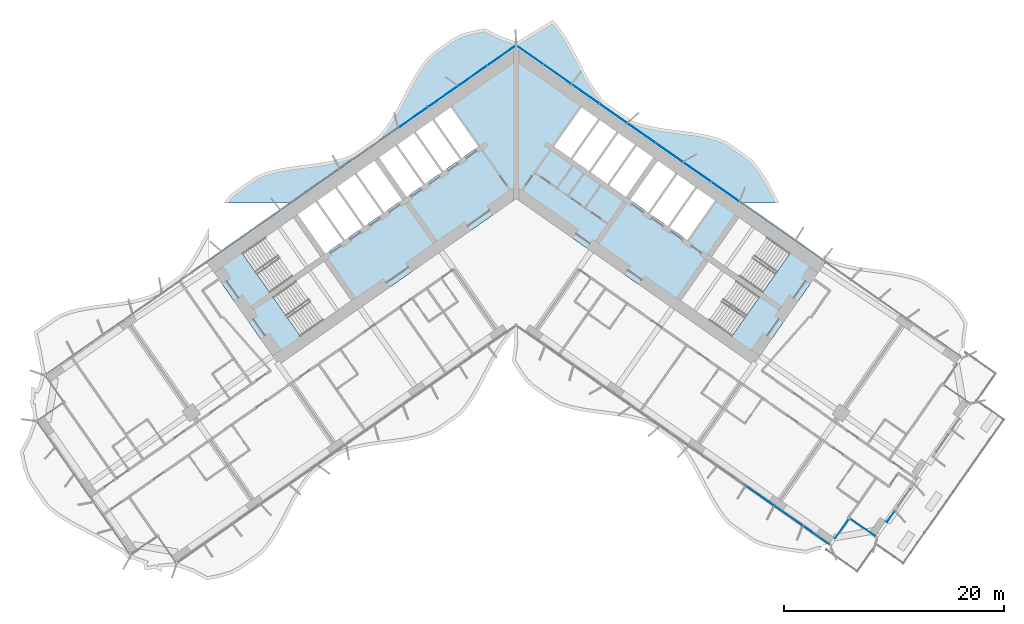
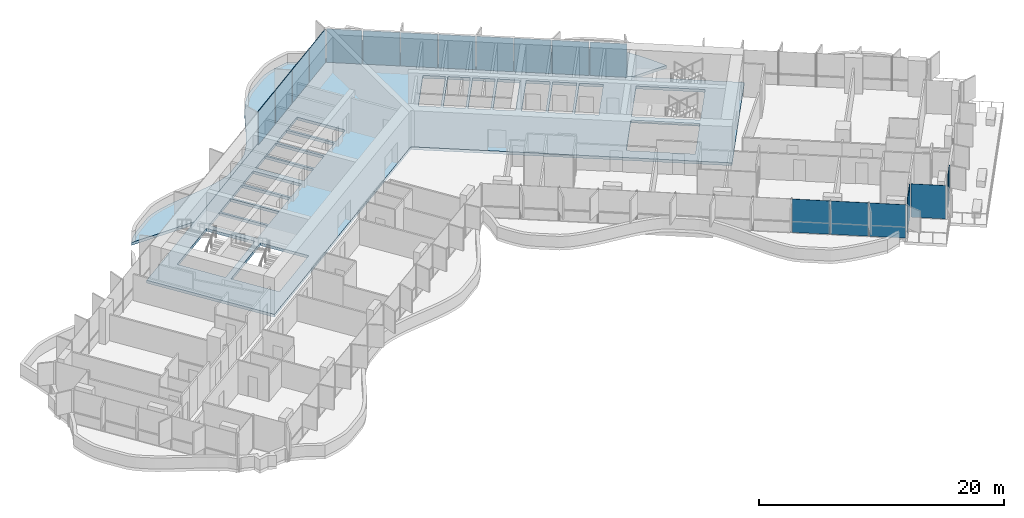
# One storey, part 11 of 25: 18 plates, 2 slabs, 2 elements without a shape of their own.
"""IFC4 building model written with IfcOpenShell, lengths in metres."""

from ifc_helpers import new_model, si_unit, direction, frame, origin, origin_2d, place, context, subcontext, project, spatial, polyline, rectangle, outline, extrude, material, layer, layer_set, type_object, element, aggregate, save


model = new_model("IFC4")

# Units and contexts
model_context = context("Model", 3, precision=1e-05, world=origin(), true_north=direction((0.0, 1.0)))
body_context = subcontext(model_context, "Body", "Model", "MODEL_VIEW")
ifc_project = project(units=[si_unit("LENGTHUNIT", "METRE"), si_unit("AREAUNIT", "SQUARE_METRE"), si_unit("VOLUMEUNIT", "CUBIC_METRE"), si_unit("PLANEANGLEUNIT", "RADIAN"), si_unit("MASSUNIT", "GRAM", prefix="KILO")], contexts=[model_context])

# Site, building, storey
site_placement = place(None, origin())
site = spatial("IfcSite", under=ifc_project, at=site_placement, CompositionType="ELEMENT")
building_placement = place(site_placement, origin())
building = spatial("IfcBuilding", under=site, at=building_placement, Name="Tel Ilan Convention Tower", CompositionType="ELEMENT")
storey_placement = place(building_placement, frame((0.0, 0.0, 76.10009765625)))
storey = spatial("IfcBuildingStorey", under=building, at=storey_placement, Name="L14", CompositionType="ELEMENT", Elevation=76.10009765625)

# Curtain wall, plates
ifc_material_1 = material(Name="Aluminium, bronze anodised", Category="aluminium")
curtain_wall_type_1 = type_object("IfcCurtainWallType", Name="CW1 UNITISED CURTAIN WALL, HOTEL TINTED GLASS", PredefinedType="NOTDEFINED", material=ifc_material_1)
curtain_wall_1_placement = place(storey_placement, origin())
curtain_wall_1 = element("IfcCurtainWall", 1, at=curtain_wall_1_placement, inside=storey, type_object=curtain_wall_type_1, Name="Curtain wall CW1-14.06", PredefinedType="NOTDEFINED")
ifc_material_2 = material(Name="Glass, bronze tinted, two-ply unitised", Category="glass")
ifc_layer_1 = layer(ifc_material_2, 0.028076171875)
ifc_layer_set_1 = layer_set([ifc_layer_1], Name="CW HOTEL GLASS PANEL 28")
plate_type_1 = type_object("IfcPlateType", Name="CW HOTEL GLASS PANEL 28", PredefinedType="CURTAIN_PANEL", material=ifc_layer_set_1)
plate_1_placement = place(storey_placement, frame((22.115478515625, -28.181396484375, 0.0), z_axis=(0.0, 0.0, 1.0), x_axis=(0.819152044289, -0.573576436351, 0.0)))
plate_1 = element("IfcPlate", 2, at=plate_1_placement, type_object=plate_type_1, Name="Glass panel", PredefinedType="CURTAIN_PANEL", context=body_context, shape_type="SweptSolid", body=[
    extrude(rectangle(XDim=3.10791015625, YDim=0.028076171875, at=origin_2d()), origin(), (0.0, 0.0, 1.0), 3.320068359375),
])
plate_2_placement = place(storey_placement, frame((24.71044921875, -29.99853515625, 0.0), z_axis=(0.0, 0.0, 1.0), x_axis=(0.819152044289, -0.573576436351, 0.0)))
plate_2 = element("IfcPlate", 3, at=plate_2_placement, type_object=plate_type_1, Name="Glass panel", PredefinedType="CURTAIN_PANEL", context=body_context, shape_type="SweptSolid", body=[
    extrude(rectangle(XDim=3.10791015625, YDim=0.028076171875, at=origin_2d()), origin(), (0.0, 0.0, 1.0), 3.320068359375),
])
plate_3_placement = place(storey_placement, frame((27.26708984375, -31.78857421875, 0.0), z_axis=(0.0, 0.0, 1.0), x_axis=(0.819152044289, -0.573576436351, 0.0)))
plate_3 = element("IfcPlate", 4, at=plate_3_placement, type_object=plate_type_1, Name="Glass panel", PredefinedType="CURTAIN_PANEL", context=body_context, shape_type="SweptSolid", body=[
    extrude(rectangle(XDim=3.013916015625, YDim=0.028076171875, at=origin_2d()), origin(), (0.0, 0.0, 1.0), 3.320068359375),
])
plate_4_placement = place(storey_placement, frame((29.574951171875, -31.16162109375, 0.0), z_axis=(0.0, 0.0, 1.0), x_axis=(0.573576436351, 0.819152044289, 0.0)))
plate_4 = element("IfcPlate", 5, at=plate_4_placement, type_object=plate_type_1, Name="Glass panel", PredefinedType="CURTAIN_PANEL", context=body_context, shape_type="SweptSolid", body=[
    extrude(rectangle(XDim=2.123046875, YDim=0.028076171875, at=origin_2d()), origin(), (0.0, 0.0, 1.0), 3.320068359375),
])
plate_5_placement = place(storey_placement, frame((31.502197265625, -31.091796875, 0.0), z_axis=(0.0, 0.0, 1.0), x_axis=(0.819152044289, -0.573576436351, 0.0)))
plate_5 = element("IfcPlate", 6, at=plate_5_placement, type_object=plate_type_1, Name="Glass panel", PredefinedType="CURTAIN_PANEL", context=body_context, shape_type="SweptSolid", body=[
    extrude(rectangle(XDim=2.875, YDim=0.028076171875, at=origin_2d()), origin(), (0.0, 0.0, 1.0), 3.320068359375),
])
plate_6_placement = place(storey_placement, frame((34.0029296875, -30.068115234375, 0.0), z_axis=(0.0, 0.0, 1.0), x_axis=(0.573576436351, 0.819152044289, 0.0)))
plate_6 = element("IfcPlate", 7, at=plate_6_placement, type_object=plate_type_1, Name="Glass panel", PredefinedType="CURTAIN_PANEL", context=body_context, shape_type="SweptSolid", body=[
    extrude(rectangle(XDim=1.194091796875, YDim=0.028076171875, at=origin_2d()), origin(), (0.0, 0.0, 1.0), 3.320068359375),
])
aggregate(curtain_wall_1, [plate_1, plate_2, plate_3, plate_4, plate_5, plate_6])

ifc_material_3 = material(Name="Aluminium, bronze anodised", Category="aluminium")
curtain_wall_type_2 = type_object("IfcCurtainWallType", Name="CW2 STICK CURTAIN WALL, SPANDREL PANELS", PredefinedType="NOTDEFINED", material=ifc_material_3)
curtain_wall_2_placement = place(storey_placement, origin())
curtain_wall_2 = element("IfcCurtainWall", 8, at=curtain_wall_2_placement, inside=storey, type_object=curtain_wall_type_2, Name="Curtain wall CW2-14.05", PredefinedType="NOTDEFINED")
ifc_material_4 = material(Name="Aluminium composite panel, bronze anodised", Category="aluminium")
ifc_layer_2 = layer(ifc_material_4, 0.06005859375)
ifc_layer_set_2 = layer_set([ifc_layer_2], Name="CW SPANDREL PANEL 60")
plate_type_2 = type_object("IfcPlateType", Name="CW SPANDREL PANEL 60", PredefinedType="CURTAIN_PANEL", material=ifc_layer_set_2)
plate_7_placement = place(storey_placement, frame((18.969482421875, -0.586669921875, 0.0), z_axis=(0.0, 0.0, 1.0), x_axis=(-0.819152044289, 0.573576436351, 0.0)))
plate_7 = element("IfcPlate", 9, at=plate_7_placement, type_object=plate_type_2, Name="Spandrel panel", PredefinedType="CURTAIN_PANEL", context=body_context, shape_type="SweptSolid", body=[
    extrude(rectangle(XDim=3.037109375, YDim=0.06005859375, at=origin_2d()), origin(), (0.0, 0.0, 1.0), 3.320068359375),
])
plate_8_placement = place(storey_placement, frame((16.4326171875, 1.189697265625, 0.0), z_axis=(0.0, 0.0, 1.0), x_axis=(-0.819152044289, 0.573576436351, 0.0)))
plate_8 = element("IfcPlate", 10, at=plate_8_placement, type_object=plate_type_2, Name="Spandrel panel", PredefinedType="CURTAIN_PANEL", context=body_context, shape_type="SweptSolid", body=[
    extrude(rectangle(XDim=3.037109375, YDim=0.06005859375, at=origin_2d()), origin(), (0.0, 0.0, 1.0), 3.320068359375),
])
plate_9_placement = place(storey_placement, frame((13.895751953125, 2.966064453125, 0.0), z_axis=(0.0, 0.0, 1.0), x_axis=(-0.819152044289, 0.573576436351, 0.0)))
plate_9 = element("IfcPlate", 11, at=plate_9_placement, type_object=plate_type_2, Name="Spandrel panel", PredefinedType="CURTAIN_PANEL", context=body_context, shape_type="SweptSolid", body=[
    extrude(rectangle(XDim=3.037109375, YDim=0.06005859375, at=origin_2d()), origin(), (0.0, 0.0, 1.0), 3.320068359375),
])
plate_10_placement = place(storey_placement, frame((11.35888671875, 4.742431640625, 0.0), z_axis=(0.0, 0.0, 1.0), x_axis=(-0.819152044289, 0.573576436351, 0.0)))
plate_10 = element("IfcPlate", 12, at=plate_10_placement, type_object=plate_type_2, Name="Spandrel panel", PredefinedType="CURTAIN_PANEL", context=body_context, shape_type="SweptSolid", body=[
    extrude(rectangle(XDim=3.037109375, YDim=0.06005859375, at=origin_2d()), origin(), (0.0, 0.0, 1.0), 3.320068359375),
])
plate_11_placement = place(storey_placement, frame((8.82177734375, 6.518798828125, 0.0), z_axis=(0.0, 0.0, 1.0), x_axis=(-0.819152044289, 0.573576436351, 0.0)))
plate_11 = element("IfcPlate", 13, at=plate_11_placement, type_object=plate_type_2, Name="Spandrel panel", PredefinedType="CURTAIN_PANEL", context=body_context, shape_type="SweptSolid", body=[
    extrude(rectangle(XDim=3.037109375, YDim=0.06005859375, at=origin_2d()), origin(), (0.0, 0.0, 1.0), 3.320068359375),
])
plate_12_placement = place(storey_placement, frame((6.284912109375, 8.295166015625, 0.0), z_axis=(0.0, 0.0, 1.0), x_axis=(-0.819152044289, 0.573576436351, 0.0)))
plate_12 = element("IfcPlate", 14, at=plate_12_placement, type_object=plate_type_2, Name="Spandrel panel", PredefinedType="CURTAIN_PANEL", context=body_context, shape_type="SweptSolid", body=[
    extrude(rectangle(XDim=3.037109375, YDim=0.06005859375, at=origin_2d()), origin(), (0.0, 0.0, 1.0), 3.320068359375),
])
plate_13_placement = place(storey_placement, frame((3.748046875, 10.07177734375, 0.0), z_axis=(0.0, 0.0, 1.0), x_axis=(-0.819152044289, 0.573576436351, 0.0)))
plate_13 = element("IfcPlate", 15, at=plate_13_placement, type_object=plate_type_2, Name="Spandrel panel", PredefinedType="CURTAIN_PANEL", context=body_context, shape_type="SweptSolid", body=[
    extrude(rectangle(XDim=3.037109375, YDim=0.06005859375, at=origin_2d()), origin(), (0.0, 0.0, 1.0), 3.320068359375),
])
plate_14_placement = place(storey_placement, frame((1.256103515625, 11.81640625, 0.0), z_axis=(0.0, 0.0, 1.0), x_axis=(-0.819152044289, 0.573576436351, 0.0)))
plate_14 = element("IfcPlate", 16, at=plate_14_placement, type_object=plate_type_2, Name="Spandrel panel", PredefinedType="CURTAIN_PANEL", context=body_context, shape_type="SweptSolid", body=[
    extrude(rectangle(XDim=2.927001953125, YDim=0.06005859375, at=origin_2d()), origin(), (0.0, 0.0, 1.0), 3.320068359375),
])
plate_15_placement = place(storey_placement, frame((-1.327880859375, 11.766357421875, 0.0), z_axis=(0.0, 0.0, 1.0), x_axis=(-0.819152044289, -0.573576436351, 0.0)))
plate_15 = element("IfcPlate", 17, at=plate_15_placement, type_object=plate_type_2, Name="Spandrel panel", PredefinedType="CURTAIN_PANEL", context=body_context, shape_type="SweptSolid", body=[
    extrude(rectangle(XDim=3.10205078125, YDim=0.06005859375, at=origin_2d()), origin(), (0.0, 0.0, 1.0), 3.320068359375),
])
plate_16_placement = place(storey_placement, frame((-3.963134765625, 9.921142578125, 0.0), z_axis=(0.0, 0.0, 1.0), x_axis=(-0.819152044289, -0.573576436351, 0.0)))
plate_16 = element("IfcPlate", 18, at=plate_16_placement, type_object=plate_type_2, Name="Spandrel panel", PredefinedType="CURTAIN_PANEL", context=body_context, shape_type="SweptSolid", body=[
    extrude(rectangle(XDim=3.2119140625, YDim=0.06005859375, at=origin_2d()), origin(), (0.0, 0.0, 1.0), 3.320068359375),
])
plate_17_placement = place(storey_placement, frame((-6.643310546875, 8.04443359375, 0.0), z_axis=(0.0, 0.0, 1.0), x_axis=(-0.819152044289, -0.573576436351, 0.0)))
plate_17 = element("IfcPlate", 19, at=plate_17_placement, type_object=plate_type_2, Name="Spandrel panel", PredefinedType="CURTAIN_PANEL", context=body_context, shape_type="SweptSolid", body=[
    extrude(rectangle(XDim=3.2119140625, YDim=0.06005859375, at=origin_2d()), origin(), (0.0, 0.0, 1.0), 3.320068359375),
])
plate_18_placement = place(storey_placement, frame((-9.323486328125, 6.16748046875, 0.0), z_axis=(0.0, 0.0, 1.0), x_axis=(-0.819152044289, -0.573576436351, 0.0)))
plate_18 = element("IfcPlate", 20, at=plate_18_placement, type_object=plate_type_2, Name="Spandrel panel", PredefinedType="CURTAIN_PANEL", context=body_context, shape_type="SweptSolid", body=[
    extrude(rectangle(XDim=3.2119140625, YDim=0.06005859375, at=origin_2d()), origin(), (0.0, 0.0, 1.0), 3.320068359375),
])
aggregate(curtain_wall_2, [plate_7, plate_8, plate_9, plate_10, plate_11, plate_12, plate_13, plate_14, plate_15, plate_16, plate_17, plate_18])

# Slabs
ifc_material_5 = material(Name="Concrete C40/50", Category="concrete")
ifc_layer_3 = layer(ifc_material_5, 0.280029296875)
ifc_layer_set_3 = layer_set([ifc_layer_3], Name="Core Floor Slab 280 mm C40/50")
slab_type_1 = type_object("IfcSlabType", Name="Core Floor Slab 280 mm C40/50", PredefinedType="FLOOR", material=ifc_layer_set_3)
slab_1_placement = place(storey_placement, frame((0.0, 0.0, -0.280029296875)))
element("IfcSlab", 21, at=slab_1_placement, inside=storey, type_object=slab_type_1, Name="L14 core floor 1", PredefinedType="FLOOR", context=body_context, shape_type="SweptSolid", body=[
    extrude(outline(polyline([(-28.1396484375, -6.885498046875), (0.0, 12.818115234375), (28.1396484375, -6.885498046875), (21.54345703125, -16.3056640625), (0.0, -1.220703125), (-21.54345703125, -16.3056640625), (-28.1396484375, -6.885498046875)]), holes=[polyline([(-14.949462890625, -10.4677734375), (-17.444580078125, -6.904541015625), (-22.072021484375, -10.144775390625), (-19.5771484375, -13.7080078125), (-14.949462890625, -10.4677734375)]), polyline([(-17.7314453125, -6.494873046875), (-20.226318359375, -2.931640625), (-24.85400390625, -6.171875), (-22.35888671875, -9.735107421875), (-17.7314453125, -6.494873046875)]), polyline([(-18.198974609375, -1.511962890625), (-19.81689453125, -2.644775390625), (-17.32177734375, -6.2080078125), (-15.7041015625, -5.0751953125), (-18.198974609375, -1.511962890625)]), polyline([(-16.41748046875, -0.264404296875), (-18.03515625, -1.397216796875), (-15.5400390625, -4.960693359375), (-13.92236328125, -3.827880859375), (-16.41748046875, -0.264404296875)]), polyline([(-14.6357421875, 0.983154296875), (-16.25341796875, -0.149658203125), (-13.758544921875, -3.712890625), (-12.140625, -2.580078125), (-14.6357421875, 0.983154296875)]), polyline([(-12.85400390625, 2.230712890625), (-14.471923828125, 1.097900390625), (-11.976806640625, -2.465576171875), (-10.35888671875, -1.332763671875), (-12.85400390625, 2.230712890625)]), polyline([(-10.939208984375, 3.5712890625), (-12.444580078125, 2.517333984375), (-9.949462890625, -1.0458984375), (-8.444091796875, 0.008056640625), (-10.939208984375, 3.5712890625)]), polyline([(-6.775146484375, 1.1767578125), (-9.270263671875, 4.739990234375), (-10.775390625, 3.68603515625), (-8.280517578125, 0.122802734375), (-6.775146484375, 1.1767578125)]), polyline([(-5.106201171875, 2.345458984375), (-7.601318359375, 5.90869140625), (-9.1064453125, 4.854736328125), (-6.611328125, 1.29150390625), (-5.106201171875, 2.345458984375)]), polyline([(-5.93212890625, 7.077392578125), (-7.4375, 6.0234375), (-4.9423828125, 2.460205078125), (-3.437255859375, 3.513916015625), (-5.93212890625, 7.077392578125)]), polyline([(17.444580078125, -6.904541015625), (14.949462890625, -10.4677734375), (19.5771484375, -13.7080078125), (22.072021484375, -10.144775390625), (17.444580078125, -6.904541015625)]), polyline([(20.226318359375, -2.931640625), (17.7314453125, -6.494873046875), (22.35888671875, -9.735107421875), (24.85400390625, -6.171875), (20.226318359375, -2.931640625)]), polyline([(13.92236328125, -3.827880859375), (15.5400390625, -4.960693359375), (18.03515625, -1.397216796875), (16.41748046875, -0.264404296875), (13.92236328125, -3.827880859375)]), polyline([(12.140625, -2.580078125), (13.758544921875, -3.712890625), (16.25341796875, -0.149658203125), (14.6357421875, 0.983154296875), (12.140625, -2.580078125)]), polyline([(11.976806640625, -2.465576171875), (14.471923828125, 1.097900390625), (12.85400390625, 2.230712890625), (10.35888671875, -1.332763671875), (11.976806640625, -2.465576171875)]), polyline([(9.949462890625, -1.0458984375), (12.444580078125, 2.517333984375), (10.939208984375, 3.5712890625), (8.444091796875, 0.008056640625), (9.949462890625, -1.0458984375)]), polyline([(8.280517578125, 0.122802734375), (10.775390625, 3.68603515625), (9.270263671875, 4.739990234375), (6.775146484375, 1.1767578125), (8.280517578125, 0.122802734375)]), polyline([(5.106201171875, 2.345458984375), (6.611328125, 1.29150390625), (9.1064453125, 4.854736328125), (7.601318359375, 5.90869140625), (5.106201171875, 2.345458984375)]), polyline([(3.437255859375, 3.513916015625), (4.9423828125, 2.460205078125), (7.4375, 6.0234375), (5.93212890625, 7.077392578125), (3.437255859375, 3.513916015625)])]), origin(), (0.0, 0.0, 1.0), 0.280029296875),
])
ifc_material_6 = material(Name="Concrete C40/50", Category="concrete")
ifc_layer_4 = layer(ifc_material_6, 0.280029296875)
ifc_layer_set_4 = layer_set([ifc_layer_4], Name="Edge Ledge Slab 280 mm C40/50")
slab_type_2 = type_object("IfcSlabType", Name="Edge Ledge Slab 280 mm C40/50", PredefinedType="FLOOR", material=ifc_layer_set_4)
slab_2_placement = place(storey_placement, frame((0.0, 0.0, -0.280029296875)))
element("IfcSlab", 22, at=slab_2_placement, inside=storey, type_object=slab_type_2, Name="L14 edge ledge 2", PredefinedType="FLOOR", context=body_context, shape_type="SweptSolid", body=[
    extrude(outline(polyline([(-21.307861328125, 1.52392578125), (-20.490966796875, 1.661376953125), (-19.658203125, 1.77587890625), (-18.8193359375, 1.881591796875), (-17.98486328125, 1.993896484375), (-17.16455078125, 2.12646484375), (-16.368408203125, 2.29296875), (-15.60400390625, 2.50537109375), (-14.87890625, 2.773681640625), (-14.2626953125, 3.197509765625), (-13.037353515625, 4.055419921875), (-12.43994140625, 4.506103515625), (-11.945068359375, 5.103271484375), (-11.48828125, 5.755126953125), (-11.06298828125, 6.451416015625), (-10.66015625, 7.179931640625), (-10.2705078125, 7.927490234375), (-9.8837890625, 8.67919921875), (-9.489990234375, 9.42041015625), (-9.078857421875, 10.13720703125), (-8.641357421875, 10.81640625), (-8.169677734375, 11.446533203125), (-7.635986328125, 11.98828125), (-5.798095703125, 13.275146484375), (-5.14013671875, 13.639404296875), (-4.39794921875, 13.88330078125), (-3.619384765625, 14.075439453125), (-2.81201171875, 14.226318359375), (-1.382080078125, 13.48828125), (-0.172119140625, 13.06396484375), (-0.168701171875, 13.05908203125), (-0.11474609375, 13.09521484375), (0.0, 13.1181640625), (0.11474609375, 13.09521484375), (0.168701171875, 13.05908203125), (0.172119140625, 13.06396484375), (1.732666015625, 14.003173828125), (3.331787109375, 14.997802734375), (3.8291015625, 14.418212890625), (4.28662109375, 13.7822265625), (4.71240234375, 13.100830078125), (5.1142578125, 12.385498046875), (5.50146484375, 11.64892578125), (5.883544921875, 10.9052734375), (6.2705078125, 10.168701171875), (6.672119140625, 9.452880859375), (7.09765625, 8.770751953125), (7.5546875, 8.134033203125), (8.050048828125, 7.55224609375), (8.65380859375, 7.125), (9.865478515625, 6.276611328125), (10.483642578125, 5.8701171875), (11.20458984375, 5.610107421875), (11.963134765625, 5.404052734375), (12.75244140625, 5.241943359375), (13.564697265625, 5.1123046875), (14.390380859375, 5.002197265625), (15.2197265625, 4.8974609375), (16.043212890625, 4.78369140625), (16.8505859375, 4.647705078125), (17.63330078125, 4.47607421875), (18.38330078125, 4.2578125), (19.08544921875, 3.97119140625), (20.903076171875, 2.698486328125), (21.484130859375, 2.239013671875), (21.9697265625, 1.643310546875), (22.418701171875, 0.99462890625), (22.83740234375, 0.3037109375), (23.23486328125, -0.41845703125), (23.619873046875, -1.158203125), (23.86328125, -1.631591796875), (20.63623046875, -1.631591796875), (0.0, 12.818115234375), (-20.63623046875, -1.631591796875), (-26.5380859375, -1.631591796875), (-26.470947265625, -1.533447265625), (-25.98291015625, -0.9267578125), (-25.40234375, -0.451904296875), (-23.564453125, 0.8349609375), (-22.857421875, 1.129150390625), (-22.099365234375, 1.350341796875), (-21.307861328125, 1.52392578125)])), origin(), (0.0, 0.0, 1.0), 0.280029296875),
])

save(model, "model.ifc")
